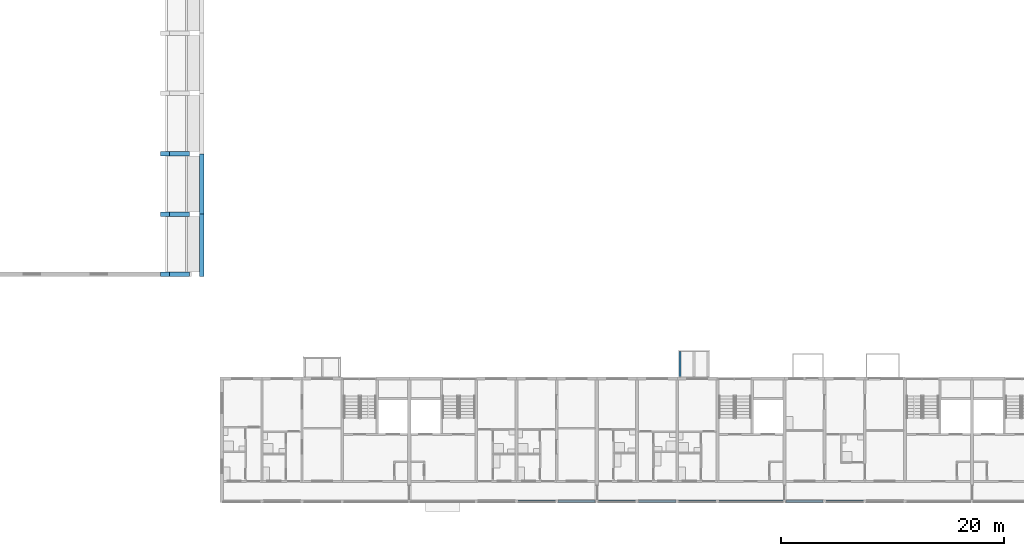
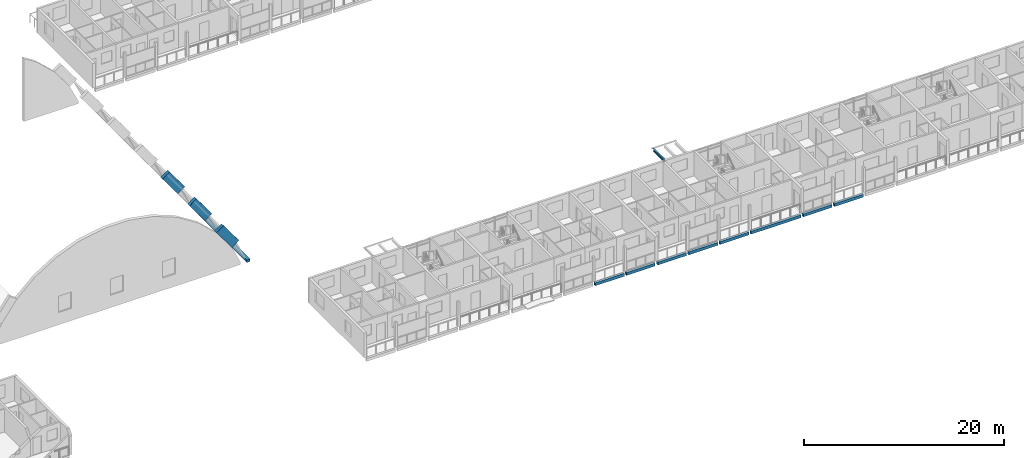
# One storey, part 15 of 100: 14 beams.
"""IFC4 building model written with IfcOpenShell, lengths in metres."""

from ifc_helpers import new_model, si_unit, direction, frame, origin, origin_2d, place, context, subcontext, project, spatial, rectangle, i_section, extrude, material, material_profile, profile_set, type_object, element, save


model = new_model("IFC4")

# Units and contexts
model_context = context("Model", 3, precision=1e-05, world=origin(), true_north=direction((0.0, 1.0)))
body_context = subcontext(model_context, "Body", "Model", "MODEL_VIEW")
ifc_project = project(units=[si_unit("LENGTHUNIT", "METRE"), si_unit("AREAUNIT", "SQUARE_METRE"), si_unit("VOLUMEUNIT", "CUBIC_METRE"), si_unit("PLANEANGLEUNIT", "RADIAN"), si_unit("MASSUNIT", "GRAM", prefix="KILO")], contexts=[model_context])

# Site, building, storey
site_placement = place(None, origin())
site = spatial("IfcSite", under=ifc_project, at=site_placement, CompositionType="ELEMENT")
building_placement = place(site_placement, origin())
building = spatial("IfcBuilding", under=site, at=building_placement, Name="Ridgestep Commons", CompositionType="ELEMENT")
storey_placement = place(building_placement, frame((0.0, 0.0, 9.0)))
storey = spatial("IfcBuildingStorey", under=building, at=storey_placement, Name="L03", CompositionType="ELEMENT", Elevation=9.0)

# Beams
ifc_material_1 = material(Name="Precast concrete C40/50", Category="concrete")
ifc_material_profile_1 = material_profile(ifc_material_1, rectangle(XDim=0.39990234375, YDim=0.300048828125, at=origin_2d()), Name="Hall ring beam 400 x 300")
ifc_profile_set_1 = profile_set([ifc_material_profile_1], Name="Precast concrete C40/50")
beam_type_1 = type_object("IfcBeamType", Name="Hall ring beam 400 x 300", PredefinedType="BEAM", material=ifc_profile_set_1)
beam_1_placement = place(storey_placement, frame((145.0, 32.0, 0.14990234375), z_axis=(0.0, 1.0, 0.0), x_axis=(-1.0, 0.0, 0.0)))
element("IfcBeam", 1, at=beam_1_placement, inside=storey, type_object=beam_type_1, Name="Hall ring beam", PredefinedType="BEAM", context=body_context, shape_type="SweptSolid", body=[
    extrude(rectangle(XDim=0.39990234375, YDim=0.300048828125, at=origin_2d()), origin(), (0.0, 0.0, 1.0), 5.60009765625),
])
beam_2_placement = place(storey_placement, frame((145.0, 37.60009765625, 0.14990234375), z_axis=(0.0, 1.0, 0.0), x_axis=(-1.0, 0.0, 0.0)))
element("IfcBeam", 2, at=beam_2_placement, inside=storey, type_object=beam_type_1, Name="Hall ring beam", PredefinedType="BEAM", context=body_context, shape_type="SweptSolid", body=[
    extrude(rectangle(XDim=0.39990234375, YDim=0.300048828125, at=origin_2d()), origin(), (0.0, 0.0, 1.0), 5.39990234375),
])
ifc_material_2 = material(Name="Precast concrete C50/60", Category="concrete")
ifc_material_profile_2 = material_profile(ifc_material_2, rectangle(XDim=0.39990234375, YDim=1.0, at=origin_2d()), Name="Hall vault rib 400 x 1000")
ifc_profile_set_2 = profile_set([ifc_material_profile_2], Name="Precast concrete C50/60")
beam_type_2 = type_object("IfcBeamType", Name="Hall vault rib 400 x 1000", PredefinedType="BEAM", material=ifc_profile_set_2)
for number, where, z_axis, x_axis, name in (
    (3, (141.7255859375, 32.199951171875, 5.148681640625), (0.591444490579, 0.0, -0.806345716528), (0.0, 1.0, 0.0), "Hall vault rib R1"),
    (4, (141.7255859375, 37.60009765625, 5.148681640625), (0.591444490579, 0.0, -0.806345716528), (0.0, 1.0, 0.0), "Hall vault rib R2"),
    (5, (141.7255859375, 43.0, 5.148681640625), (0.591444490579, 0.0, -0.806345716528), (0.0, 1.0, 0.0), "Hall vault rib R3"),
):
    element("IfcBeam", number, at=place(storey_placement, frame(where, z_axis=z_axis, x_axis=x_axis)), inside=storey, type_object=beam_type_2, Name=name, PredefinedType="BEAM", context=body_context, shape_type="SweptSolid", body=[
        extrude(rectangle(XDim=0.39990234375, YDim=1.0, at=origin_2d()), origin(), (0.0, 0.0, 1.0), 3.01171875),
    ])
ifc_material_3 = material(Name="Precast concrete C40/50", Category="concrete")
ifc_material_profile_3 = material_profile(ifc_material_3, rectangle(XDim=0.25, YDim=0.35009765625, at=origin_2d()), Name="PC 250x350")
ifc_profile_set_3 = profile_set([ifc_material_profile_3], Name="Precast concrete C40/50")
beam_type_3 = type_object("IfcBeamType", Name="Loggia edge beam 250 x 350", PredefinedType="SPANDREL", material=ifc_profile_set_3)
beam_3_placement = place(storey_placement, frame((173.324951171875, 11.875, -0.375), z_axis=(1.0, 0.0, 0.0), x_axis=(0.0, 1.0, 0.0)))
element("IfcBeam", 6, at=beam_3_placement, inside=storey, type_object=beam_type_3, Name="Loggia edge beam D2T2 L03", PredefinedType="SPANDREL", context=body_context, shape_type="SweptSolid", body=[
    extrude(rectangle(XDim=0.25, YDim=0.35009765625, at=origin_2d()), origin(), (0.0, 0.0, 1.0), 3.35009765625),
])
for number, where, z_axis, x_axis, name in (
    (7, (176.925048828125, 11.875, -0.375), (1.0, 0.0, 0.0), (0.0, 1.0, 0.0), "Loggia edge beam D2T1 L03"),
    (8, (180.550048828125, 11.875, -0.375), (1.0, 0.0, 0.0), (0.0, 1.0, 0.0), "Loggia edge beam D3T1 L03"),
):
    element("IfcBeam", number, at=place(storey_placement, frame(where, z_axis=z_axis, x_axis=x_axis)), inside=storey, type_object=beam_type_3, Name=name, PredefinedType="SPANDREL", context=body_context, shape_type="SweptSolid", body=[
        extrude(rectangle(XDim=0.25, YDim=0.35009765625, at=origin_2d()), origin(), (0.0, 0.0, 1.0), 3.324951171875),
    ])
beam_4_placement = place(storey_placement, frame((184.125, 11.875, -0.375), z_axis=(1.0, 0.0, 0.0), x_axis=(0.0, 1.0, 0.0)))
element("IfcBeam", 9, at=beam_4_placement, inside=storey, type_object=beam_type_3, Name="Loggia edge beam D3T2 L03", PredefinedType="SPANDREL", context=body_context, shape_type="SweptSolid", body=[
    extrude(rectangle(XDim=0.25, YDim=0.35009765625, at=origin_2d()), origin(), (0.0, 0.0, 1.0), 3.35009765625),
])
beam_5_placement = place(storey_placement, frame((187.72509765625, 11.875, -0.375), z_axis=(1.0, 0.0, 0.0), x_axis=(0.0, 1.0, 0.0)))
element("IfcBeam", 10, at=beam_5_placement, inside=storey, type_object=beam_type_3, Name="Loggia edge beam D3T3 L03", PredefinedType="SPANDREL", context=body_context, shape_type="SweptSolid", body=[
    extrude(rectangle(XDim=0.25, YDim=0.35009765625, at=origin_2d()), origin(), (0.0, 0.0, 1.0), 3.349853515625),
])
beam_6_placement = place(storey_placement, frame((191.324951171875, 11.875, -0.375), z_axis=(1.0, 0.0, 0.0), x_axis=(0.0, 1.0, 0.0)))
element("IfcBeam", 11, at=beam_6_placement, inside=storey, type_object=beam_type_3, Name="Loggia edge beam D3C L03", PredefinedType="SPANDREL", context=body_context, shape_type="SweptSolid", body=[
    extrude(rectangle(XDim=0.25, YDim=0.35009765625, at=origin_2d()), origin(), (0.0, 0.0, 1.0), 5.72509765625),
])
beam_7_placement = place(storey_placement, frame((197.35009765625, 11.875, -0.375), z_axis=(1.0, 0.0, 0.0), x_axis=(0.0, 1.0, 0.0)))
element("IfcBeam", 12, at=beam_7_placement, inside=storey, type_object=beam_type_3, Name="Loggia edge beam D4T1 L03", PredefinedType="SPANDREL", context=body_context, shape_type="SweptSolid", body=[
    extrude(rectangle(XDim=0.25, YDim=0.35009765625, at=origin_2d()), origin(), (0.0, 0.0, 1.0), 3.324951171875),
])
beam_8_placement = place(storey_placement, frame((200.925048828125, 11.875, -0.375), z_axis=(1.0, 0.0, 0.0), x_axis=(0.0, 1.0, 0.0)))
element("IfcBeam", 13, at=beam_8_placement, inside=storey, type_object=beam_type_3, Name="Loggia edge beam D4T2 L03", PredefinedType="SPANDREL", context=body_context, shape_type="SweptSolid", body=[
    extrude(rectangle(XDim=0.25, YDim=0.35009765625, at=origin_2d()), origin(), (0.0, 0.0, 1.0), 3.349853515625),
])
ifc_material_4 = material(Name="Weathering steel S355J2W", Category="steel")
ifc_material_profile_4 = material_profile(ifc_material_4, i_section(OverallWidth=0.171142578125, OverallDepth=0.351318359375, WebThickness=0.007080078125, FlangeThickness=0.009765625, FilletRadius=0.01025390625, at=origin_2d()), Name="UB 356x171x45")
ifc_profile_set_4 = profile_set([ifc_material_profile_4], Name="Weathering steel S355J2W")
beam_type_4 = type_object("IfcBeamType", Name="Tray arm UB 356x171x45", PredefinedType="BEAM", material=ifc_profile_set_4)
beam_9_placement = place(storey_placement, frame((187.85009765625, 23.014892578125, 2.814208984375), z_axis=(0.0, 1.0, 0.0), x_axis=(-1.0, 0.0, 0.0)))
element("IfcBeam", 14, at=beam_9_placement, inside=storey, type_object=beam_type_4, Name="Tray arm D3T3-04.1", PredefinedType="BEAM", context=body_context, shape_type="SweptSolid", body=[
    extrude(i_section(OverallWidth=0.171142578125, OverallDepth=0.351318359375, WebThickness=0.007080078125, FlangeThickness=0.009765625, FilletRadius=0.01025390625, at=origin_2d()), origin(), (0.0, 0.0, 1.0), 2.26513671875),
])

save(model, "model.ifc")
